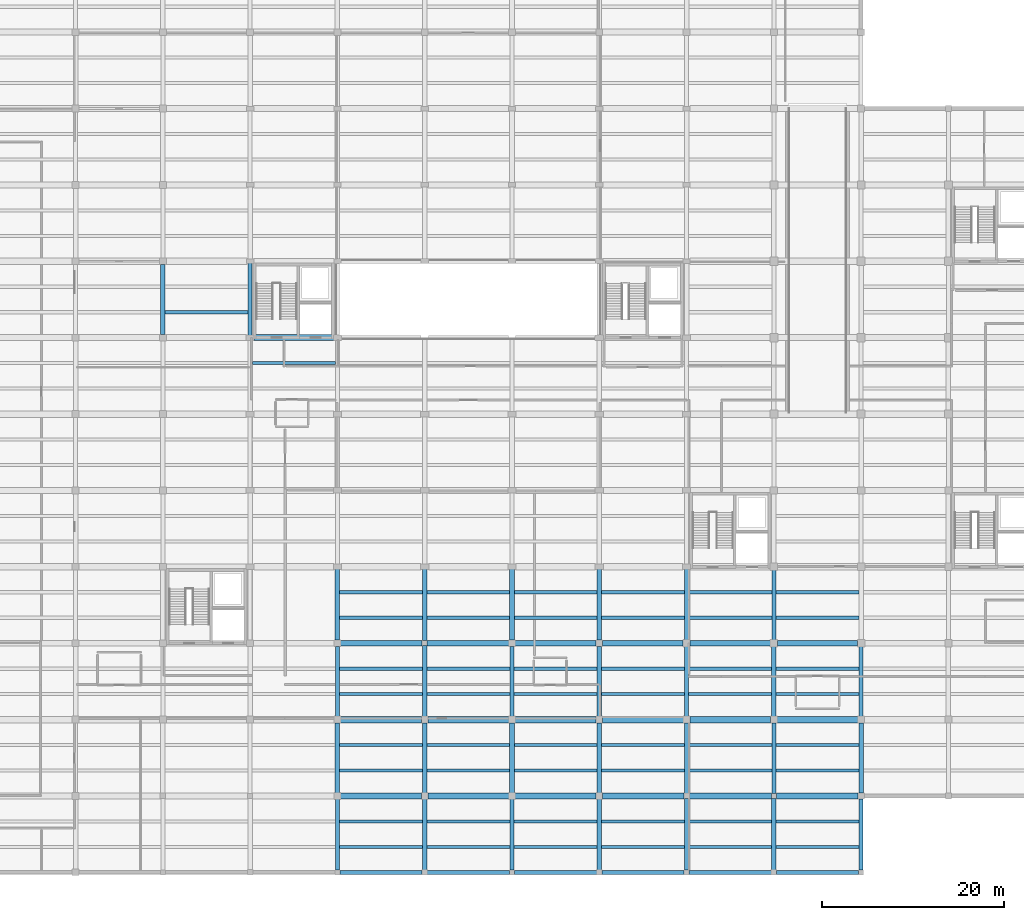
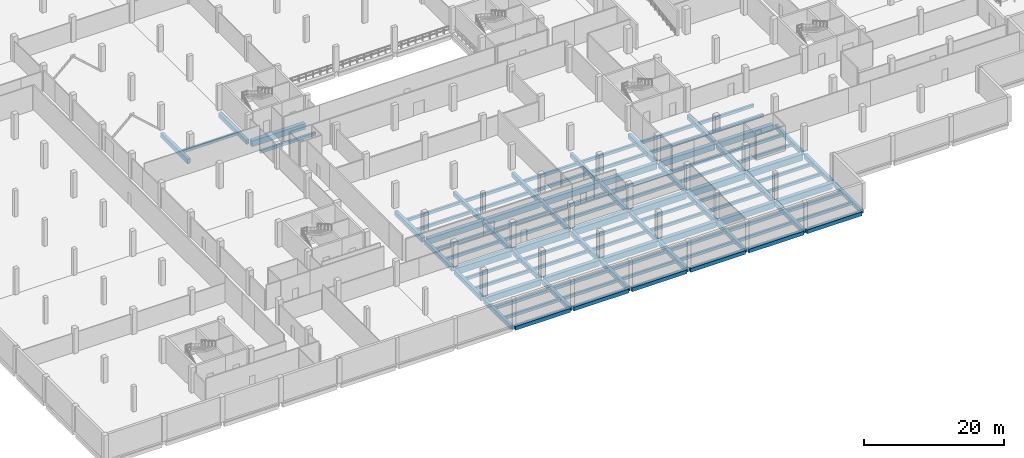
# One storey, part 7 of 30: 104 beams.
"""IFC4 building model written with IfcOpenShell, lengths in metres."""

from ifc_helpers import new_model, si_unit, direction, frame, origin, origin_2d, place, context, subcontext, project, spatial, rectangle, extrude, material, material_profile, profile_set, type_object, element, save


model = new_model("IFC4")

# Units and contexts
model_context = context("Model", 3, precision=1e-05, world=origin(), true_north=direction((0.0, 1.0)))
body_context = subcontext(model_context, "Body", "Model", "MODEL_VIEW")
ifc_project = project(units=[si_unit("LENGTHUNIT", "METRE"), si_unit("AREAUNIT", "SQUARE_METRE"), si_unit("VOLUMEUNIT", "CUBIC_METRE"), si_unit("PLANEANGLEUNIT", "RADIAN"), si_unit("MASSUNIT", "GRAM", prefix="KILO")], contexts=[model_context])

# Site, building, storey
site_placement = place(None, origin())
site = spatial("IfcSite", under=ifc_project, at=site_placement, CompositionType="ELEMENT")
building_placement = place(site_placement, origin())
building = spatial("IfcBuilding", under=site, at=building_placement, Name="Lornevale Opera House", CompositionType="ELEMENT")
storey_placement = place(building_placement, frame((0.0, 0.0, -4.800048828125)))
storey = spatial("IfcBuildingStorey", under=building, at=storey_placement, Name="B1", CompositionType="ELEMENT", Elevation=-4.800048828125)

# Beams
ifc_material_1 = material(Name="Concrete 35 MPa (CSA A23.1 N)", Category="concrete")
ifc_material_profile_1 = material_profile(ifc_material_1, rectangle(XDim=0.449951171875, YDim=0.75, at=origin_2d()), Name="RC450x750")
ifc_profile_set_1 = profile_set([ifc_material_profile_1], Name="Concrete 35 MPa (CSA A23.1 N)")
beam_type_1 = type_object("IfcBeamType", Name="Concrete Floor Beam 450x750", PredefinedType="USERDEFINED", material=ifc_profile_set_1)
beam_1_placement = place(storey_placement, frame((57.60009765625, 59.050048828125, -0.794921875), z_axis=(0.0, 1.0, 0.0), x_axis=(-1.0, 0.0, 0.0)))
element("IfcBeam", 1, at=beam_1_placement, inside=storey, type_object=beam_type_1, Name="Concrete Floor Beam 450x750 0317", ObjectType="GIRDER", PredefinedType="USERDEFINED", context=body_context, shape_type="SweptSolid", body=[
    extrude(rectangle(XDim=0.449951171875, YDim=0.75, at=origin_2d()), origin(), (0.0, 0.0, 1.0), 7.949951171875),
])
beam_2_placement = place(storey_placement, frame((67.199951171875, 0.27490234375, -0.794921875), z_axis=(0.0, 1.0, 0.0), x_axis=(-1.0, 0.0, 0.0)))
element("IfcBeam", 2, at=beam_2_placement, inside=storey, type_object=beam_type_1, Name="Concrete Floor Beam 450x750 0324", ObjectType="GIRDER", PredefinedType="USERDEFINED", context=body_context, shape_type="SweptSolid", body=[
    extrude(rectangle(XDim=0.449951171875, YDim=0.75, at=origin_2d()), origin(), (0.0, 0.0, 1.0), 7.775146484375),
])
beam_3_placement = place(storey_placement, frame((67.199951171875, 17.14990234375, -0.794921875), z_axis=(0.0, 1.0, 0.0), x_axis=(-1.0, 0.0, 0.0)))
element("IfcBeam", 3, at=beam_3_placement, inside=storey, type_object=beam_type_1, Name="Concrete Floor Beam 450x750 0326", ObjectType="GIRDER", PredefinedType="USERDEFINED", context=body_context, shape_type="SweptSolid", body=[
    extrude(rectangle(XDim=0.449951171875, YDim=0.75, at=origin_2d()), origin(), (0.0, 0.0, 1.0), 7.7001953125),
])
beam_4_placement = place(storey_placement, frame((76.800048828125, 8.75, -0.794921875), z_axis=(0.0, 1.0, 0.0), x_axis=(-1.0, 0.0, 0.0)))
element("IfcBeam", 4, at=beam_4_placement, inside=storey, type_object=beam_type_1, Name="Concrete Floor Beam 450x750 0339", ObjectType="GIRDER", PredefinedType="USERDEFINED", context=body_context, shape_type="SweptSolid", body=[
    extrude(rectangle(XDim=0.449951171875, YDim=0.75, at=origin_2d()), origin(), (0.0, 0.0, 1.0), 7.699951171875),
])
beam_5_placement = place(storey_placement, frame((76.800048828125, 25.47509765625, -0.794921875), z_axis=(0.0, 1.0, 0.0), x_axis=(-1.0, 0.0, 0.0)))
element("IfcBeam", 5, at=beam_5_placement, inside=storey, type_object=beam_type_1, Name="Concrete Floor Beam 450x750 0341", ObjectType="GIRDER", PredefinedType="USERDEFINED", context=body_context, shape_type="SweptSolid", body=[
    extrude(rectangle(XDim=0.449951171875, YDim=0.75, at=origin_2d()), origin(), (0.0, 0.0, 1.0), 7.875),
])
beam_6_placement = place(storey_placement, frame((86.39990234375, 0.27490234375, -0.794921875), z_axis=(0.0, 1.0, 0.0), x_axis=(-1.0, 0.0, 0.0)))
element("IfcBeam", 6, at=beam_6_placement, inside=storey, type_object=beam_type_1, Name="Concrete Floor Beam 450x750 0351", ObjectType="GIRDER", PredefinedType="USERDEFINED", context=body_context, shape_type="SweptSolid", body=[
    extrude(rectangle(XDim=0.449951171875, YDim=0.75, at=origin_2d()), origin(), (0.0, 0.0, 1.0), 7.775146484375),
])
beam_7_placement = place(storey_placement, frame((86.39990234375, 17.14990234375, -0.794921875), z_axis=(0.0, 1.0, 0.0), x_axis=(-1.0, 0.0, 0.0)))
element("IfcBeam", 7, at=beam_7_placement, inside=storey, type_object=beam_type_1, Name="Concrete Floor Beam 450x750 0353", ObjectType="GIRDER", PredefinedType="USERDEFINED", context=body_context, shape_type="SweptSolid", body=[
    extrude(rectangle(XDim=0.449951171875, YDim=0.75, at=origin_2d()), origin(), (0.0, 0.0, 1.0), 7.7001953125),
])
beam_8_placement = place(storey_placement, frame((96.0, 8.75, -0.794921875), z_axis=(0.0, 1.0, 0.0), x_axis=(-1.0, 0.0, 0.0)))
element("IfcBeam", 8, at=beam_8_placement, inside=storey, type_object=beam_type_1, Name="Concrete Floor Beam 450x750 0365", ObjectType="GIRDER", PredefinedType="USERDEFINED", context=body_context, shape_type="SweptSolid", body=[
    extrude(rectangle(XDim=0.449951171875, YDim=0.75, at=origin_2d()), origin(), (0.0, 0.0, 1.0), 7.699951171875),
])
beam_9_placement = place(storey_placement, frame((96.0, 25.550048828125, -0.794921875), z_axis=(0.0, 1.0, 0.0), x_axis=(-1.0, 0.0, 0.0)))
element("IfcBeam", 9, at=beam_9_placement, inside=storey, type_object=beam_type_1, Name="Concrete Floor Beam 450x750 0367", ObjectType="GIRDER", PredefinedType="USERDEFINED", context=body_context, shape_type="SweptSolid", body=[
    extrude(rectangle(XDim=0.449951171875, YDim=0.75, at=origin_2d()), origin(), (0.0, 0.0, 1.0), 7.800048828125),
])
beam_10_placement = place(storey_placement, frame((105.60009765625, 0.27490234375, -0.794921875), z_axis=(0.0, 1.0, 0.0), x_axis=(-1.0, 0.0, 0.0)))
element("IfcBeam", 10, at=beam_10_placement, inside=storey, type_object=beam_type_1, Name="Concrete Floor Beam 450x750 0378", ObjectType="GIRDER", PredefinedType="USERDEFINED", context=body_context, shape_type="SweptSolid", body=[
    extrude(rectangle(XDim=0.449951171875, YDim=0.75, at=origin_2d()), origin(), (0.0, 0.0, 1.0), 7.85009765625),
])
beam_11_placement = place(storey_placement, frame((105.60009765625, 17.14990234375, -0.794921875), z_axis=(0.0, 1.0, 0.0), x_axis=(-1.0, 0.0, 0.0)))
element("IfcBeam", 11, at=beam_11_placement, inside=storey, type_object=beam_type_1, Name="Concrete Floor Beam 450x750 0380", ObjectType="GIRDER", PredefinedType="USERDEFINED", context=body_context, shape_type="SweptSolid", body=[
    extrude(rectangle(XDim=0.449951171875, YDim=0.75, at=origin_2d()), origin(), (0.0, 0.0, 1.0), 7.675048828125),
])
beam_12_placement = place(storey_placement, frame((115.199951171875, 8.675048828125, -0.794921875), z_axis=(0.0, 1.0, 0.0), x_axis=(-1.0, 0.0, 0.0)))
element("IfcBeam", 12, at=beam_12_placement, inside=storey, type_object=beam_type_1, Name="Concrete Floor Beam 450x750 0393", ObjectType="GIRDER", PredefinedType="USERDEFINED", context=body_context, shape_type="SweptSolid", body=[
    extrude(rectangle(XDim=0.449951171875, YDim=0.75, at=origin_2d()), origin(), (0.0, 0.0, 1.0), 7.77490234375),
])
beam_13_placement = place(storey_placement, frame((115.199951171875, 25.574951171875, -0.794921875), z_axis=(0.0, 1.0, 0.0), x_axis=(-1.0, 0.0, 0.0)))
element("IfcBeam", 13, at=beam_13_placement, inside=storey, type_object=beam_type_1, Name="Concrete Floor Beam 450x750 0395", ObjectType="GIRDER", PredefinedType="USERDEFINED", context=body_context, shape_type="SweptSolid", body=[
    extrude(rectangle(XDim=0.449951171875, YDim=0.75, at=origin_2d()), origin(), (0.0, 0.0, 1.0), 7.650146484375),
])
beam_14_placement = place(storey_placement, frame((124.800048828125, 17.14990234375, -0.794921875), z_axis=(0.0, 1.0, 0.0), x_axis=(-1.0, 0.0, 0.0)))
element("IfcBeam", 14, at=beam_14_placement, inside=storey, type_object=beam_type_1, Name="Concrete Floor Beam 450x750 0408", ObjectType="GIRDER", PredefinedType="USERDEFINED", context=body_context, shape_type="SweptSolid", body=[
    extrude(rectangle(XDim=0.449951171875, YDim=0.75, at=origin_2d()), origin(), (0.0, 0.0, 1.0), 7.675048828125),
])
ifc_material_profile_2 = material_profile(ifc_material_1, rectangle(XDim=0.5, YDim=0.800048828125, at=origin_2d()), Name="RC500x800")
ifc_profile_set_2 = profile_set([ifc_material_profile_2], Name="Concrete 35 MPa (CSA A23.1 N)")
beam_type_2 = type_object("IfcBeamType", Name="Concrete Floor Beam 500x800", PredefinedType="USERDEFINED", material=ifc_profile_set_2)
beam_15_placement = place(storey_placement, frame((48.0, 59.14990234375, -0.820068359375), z_axis=(0.0, 1.0, 0.0), x_axis=(-1.0, 0.0, 0.0)))
element("IfcBeam", 15, at=beam_15_placement, inside=storey, type_object=beam_type_2, Name="Concrete Floor Beam 500x800 0303", ObjectType="GIRDER", PredefinedType="USERDEFINED", context=body_context, shape_type="SweptSolid", body=[
    extrude(rectangle(XDim=0.5, YDim=0.800048828125, at=origin_2d()), origin(), (0.0, 0.0, 1.0), 7.7001953125),
])
beam_16_placement = place(storey_placement, frame((67.199951171875, 8.75, -0.820068359375), z_axis=(0.0, 1.0, 0.0), x_axis=(-1.0, 0.0, 0.0)))
element("IfcBeam", 16, at=beam_16_placement, inside=storey, type_object=beam_type_2, Name="Concrete Floor Beam 500x800 0325", ObjectType="GIRDER", PredefinedType="USERDEFINED", context=body_context, shape_type="SweptSolid", body=[
    extrude(rectangle(XDim=0.5, YDim=0.800048828125, at=origin_2d()), origin(), (0.0, 0.0, 1.0), 7.699951171875),
])
beam_17_placement = place(storey_placement, frame((67.199951171875, 25.550048828125, -0.820068359375), z_axis=(0.0, 1.0, 0.0), x_axis=(-1.0, 0.0, 0.0)))
element("IfcBeam", 17, at=beam_17_placement, inside=storey, type_object=beam_type_2, Name="Concrete Floor Beam 500x800 0327", ObjectType="GIRDER", PredefinedType="USERDEFINED", context=body_context, shape_type="SweptSolid", body=[
    extrude(rectangle(XDim=0.5, YDim=0.800048828125, at=origin_2d()), origin(), (0.0, 0.0, 1.0), 7.800048828125),
])
for number, where, z_axis, x_axis, name in (
    (18, (76.800048828125, 0.27490234375, -0.820068359375), (0.0, 1.0, 0.0), (-1.0, 0.0, 0.0), "Concrete Floor Beam 500x800 0338"),
    (19, (76.800048828125, 17.14990234375, -0.820068359375), (0.0, 1.0, 0.0), (-1.0, 0.0, 0.0), "Concrete Floor Beam 500x800 0340"),
):
    element("IfcBeam", number, at=place(storey_placement, frame(where, z_axis=z_axis, x_axis=x_axis)), inside=storey, type_object=beam_type_2, Name=name, ObjectType="GIRDER", PredefinedType="USERDEFINED", context=body_context, shape_type="SweptSolid", body=[
        extrude(rectangle(XDim=0.5, YDim=0.800048828125, at=origin_2d()), origin(), (0.0, 0.0, 1.0), 7.775146484375),
    ])
beam_18_placement = place(storey_placement, frame((86.39990234375, 8.75, -0.820068359375), z_axis=(0.0, 1.0, 0.0), x_axis=(-1.0, 0.0, 0.0)))
element("IfcBeam", 20, at=beam_18_placement, inside=storey, type_object=beam_type_2, Name="Concrete Floor Beam 500x800 0352", ObjectType="GIRDER", PredefinedType="USERDEFINED", context=body_context, shape_type="SweptSolid", body=[
    extrude(rectangle(XDim=0.5, YDim=0.800048828125, at=origin_2d()), origin(), (0.0, 0.0, 1.0), 7.699951171875),
])
beam_19_placement = place(storey_placement, frame((86.39990234375, 25.550048828125, -0.820068359375), z_axis=(0.0, 1.0, 0.0), x_axis=(-1.0, 0.0, 0.0)))
element("IfcBeam", 21, at=beam_19_placement, inside=storey, type_object=beam_type_2, Name="Concrete Floor Beam 500x800 0354", ObjectType="GIRDER", PredefinedType="USERDEFINED", context=body_context, shape_type="SweptSolid", body=[
    extrude(rectangle(XDim=0.5, YDim=0.800048828125, at=origin_2d()), origin(), (0.0, 0.0, 1.0), 7.800048828125),
])
beam_20_placement = place(storey_placement, frame((96.0, 0.27490234375, -0.820068359375), z_axis=(0.0, 1.0, 0.0), x_axis=(-1.0, 0.0, 0.0)))
element("IfcBeam", 22, at=beam_20_placement, inside=storey, type_object=beam_type_2, Name="Concrete Floor Beam 500x800 0364", ObjectType="GIRDER", PredefinedType="USERDEFINED", context=body_context, shape_type="SweptSolid", body=[
    extrude(rectangle(XDim=0.5, YDim=0.800048828125, at=origin_2d()), origin(), (0.0, 0.0, 1.0), 7.775146484375),
])
beam_21_placement = place(storey_placement, frame((96.0, 17.14990234375, -0.820068359375), z_axis=(0.0, 1.0, 0.0), x_axis=(-1.0, 0.0, 0.0)))
element("IfcBeam", 23, at=beam_21_placement, inside=storey, type_object=beam_type_2, Name="Concrete Floor Beam 500x800 0366", ObjectType="GIRDER", PredefinedType="USERDEFINED", context=body_context, shape_type="SweptSolid", body=[
    extrude(rectangle(XDim=0.5, YDim=0.800048828125, at=origin_2d()), origin(), (0.0, 0.0, 1.0), 7.7001953125),
])
beam_22_placement = place(storey_placement, frame((105.60009765625, 8.675048828125, -0.820068359375), z_axis=(0.0, 1.0, 0.0), x_axis=(-1.0, 0.0, 0.0)))
element("IfcBeam", 24, at=beam_22_placement, inside=storey, type_object=beam_type_2, Name="Concrete Floor Beam 500x800 0379", ObjectType="GIRDER", PredefinedType="USERDEFINED", context=body_context, shape_type="SweptSolid", body=[
    extrude(rectangle(XDim=0.5, YDim=0.800048828125, at=origin_2d()), origin(), (0.0, 0.0, 1.0), 7.77490234375),
])
beam_23_placement = place(storey_placement, frame((105.60009765625, 25.574951171875, -0.820068359375), z_axis=(0.0, 1.0, 0.0), x_axis=(-1.0, 0.0, 0.0)))
element("IfcBeam", 25, at=beam_23_placement, inside=storey, type_object=beam_type_2, Name="Concrete Floor Beam 500x800 0381", ObjectType="GIRDER", PredefinedType="USERDEFINED", context=body_context, shape_type="SweptSolid", body=[
    extrude(rectangle(XDim=0.5, YDim=0.800048828125, at=origin_2d()), origin(), (0.0, 0.0, 1.0), 7.775146484375),
])
beam_24_placement = place(storey_placement, frame((115.199951171875, 0.27490234375, -0.820068359375), z_axis=(0.0, 1.0, 0.0), x_axis=(-1.0, 0.0, 0.0)))
element("IfcBeam", 26, at=beam_24_placement, inside=storey, type_object=beam_type_2, Name="Concrete Floor Beam 500x800 0392", ObjectType="GIRDER", PredefinedType="USERDEFINED", context=body_context, shape_type="SweptSolid", body=[
    extrude(rectangle(XDim=0.5, YDim=0.800048828125, at=origin_2d()), origin(), (0.0, 0.0, 1.0), 7.85009765625),
])
beam_25_placement = place(storey_placement, frame((115.199951171875, 17.14990234375, -0.820068359375), z_axis=(0.0, 1.0, 0.0), x_axis=(-1.0, 0.0, 0.0)))
element("IfcBeam", 27, at=beam_25_placement, inside=storey, type_object=beam_type_2, Name="Concrete Floor Beam 500x800 0394", ObjectType="GIRDER", PredefinedType="USERDEFINED", context=body_context, shape_type="SweptSolid", body=[
    extrude(rectangle(XDim=0.5, YDim=0.800048828125, at=origin_2d()), origin(), (0.0, 0.0, 1.0), 7.675048828125),
])
beam_26_placement = place(storey_placement, frame((124.800048828125, 8.72509765625, -0.820068359375), z_axis=(0.0, 1.0, 0.0), x_axis=(-1.0, 0.0, 0.0)))
element("IfcBeam", 28, at=beam_26_placement, inside=storey, type_object=beam_type_2, Name="Concrete Floor Beam 500x800 0407", ObjectType="GIRDER", PredefinedType="USERDEFINED", context=body_context, shape_type="SweptSolid", body=[
    extrude(rectangle(XDim=0.5, YDim=0.800048828125, at=origin_2d()), origin(), (0.0, 0.0, 1.0), 7.724853515625),
])
ifc_material_2 = material(Name="Concrete 40 MPa (CSA A23.1 C-1)", Category="concrete")
ifc_material_profile_3 = material_profile(ifc_material_2, rectangle(XDim=0.64990234375, YDim=1.0, at=origin_2d()), Name="RC650x1000")
ifc_profile_set_3 = profile_set([ifc_material_profile_3], Name="Concrete 40 MPa (CSA A23.1 C-1)")
beam_type_3 = type_object("IfcBeamType", Name="Concrete Primary Girder 650x1000", PredefinedType="USERDEFINED", material=ifc_profile_set_3)
beam_27_placement = place(storey_placement, frame((67.550048828125, 8.39990234375, -0.919921875), z_axis=(1.0, 0.0, 0.0), x_axis=(0.0, 1.0, 0.0)))
element("IfcBeam", 29, at=beam_27_placement, inside=storey, type_object=beam_type_3, Name="Concrete Primary Girder 650x1000 0021", ObjectType="GIRDER", PredefinedType="USERDEFINED", context=body_context, shape_type="SweptSolid", body=[
    extrude(rectangle(XDim=0.64990234375, YDim=1.0, at=origin_2d()), origin(), (0.0, 0.0, 1.0), 8.89990234375),
])
beam_28_placement = place(storey_placement, frame((77.14990234375, 8.39990234375, -0.919921875), z_axis=(1.0, 0.0, 0.0), x_axis=(0.0, 1.0, 0.0)))
element("IfcBeam", 30, at=beam_28_placement, inside=storey, type_object=beam_type_3, Name="Concrete Primary Girder 650x1000 0022", ObjectType="GIRDER", PredefinedType="USERDEFINED", context=body_context, shape_type="SweptSolid", body=[
    extrude(rectangle(XDim=0.64990234375, YDim=1.0, at=origin_2d()), origin(), (0.0, 0.0, 1.0), 8.900146484375),
])
beam_29_placement = place(storey_placement, frame((86.75, 8.39990234375, -0.919921875), z_axis=(1.0, 0.0, 0.0), x_axis=(0.0, 1.0, 0.0)))
element("IfcBeam", 31, at=beam_29_placement, inside=storey, type_object=beam_type_3, Name="Concrete Primary Girder 650x1000 0023", ObjectType="GIRDER", PredefinedType="USERDEFINED", context=body_context, shape_type="SweptSolid", body=[
    extrude(rectangle(XDim=0.64990234375, YDim=1.0, at=origin_2d()), origin(), (0.0, 0.0, 1.0), 8.89990234375),
])
beam_30_placement = place(storey_placement, frame((96.35009765625, 8.39990234375, -0.919921875), z_axis=(1.0, 0.0, 0.0), x_axis=(0.0, 1.0, 0.0)))
element("IfcBeam", 32, at=beam_30_placement, inside=storey, type_object=beam_type_3, Name="Concrete Primary Girder 650x1000 0024", ObjectType="GIRDER", PredefinedType="USERDEFINED", context=body_context, shape_type="SweptSolid", body=[
    extrude(rectangle(XDim=0.64990234375, YDim=1.0, at=origin_2d()), origin(), (0.0, 0.0, 1.0), 8.974853515625),
])
beam_31_placement = place(storey_placement, frame((105.875, 8.39990234375, -0.919921875), z_axis=(1.0, 0.0, 0.0), x_axis=(0.0, 1.0, 0.0)))
element("IfcBeam", 33, at=beam_31_placement, inside=storey, type_object=beam_type_3, Name="Concrete Primary Girder 650x1000 0025", ObjectType="GIRDER", PredefinedType="USERDEFINED", context=body_context, shape_type="SweptSolid", body=[
    extrude(rectangle(XDim=0.64990234375, YDim=1.0, at=origin_2d()), origin(), (0.0, 0.0, 1.0), 9.050048828125),
])
beam_32_placement = place(storey_placement, frame((115.47509765625, 8.39990234375, -0.919921875), z_axis=(1.0, 0.0, 0.0), x_axis=(0.0, 1.0, 0.0)))
element("IfcBeam", 34, at=beam_32_placement, inside=storey, type_object=beam_type_3, Name="Concrete Primary Girder 650x1000 0026", ObjectType="GIRDER", PredefinedType="USERDEFINED", context=body_context, shape_type="SweptSolid", body=[
    extrude(rectangle(XDim=0.64990234375, YDim=1.0, at=origin_2d()), origin(), (0.0, 0.0, 1.0), 9.0),
])
beam_33_placement = place(storey_placement, frame((67.550048828125, 25.199951171875, -0.919921875), z_axis=(1.0, 0.0, 0.0), x_axis=(0.0, 1.0, 0.0)))
element("IfcBeam", 35, at=beam_33_placement, inside=storey, type_object=beam_type_3, Name="Concrete Primary Girder 650x1000 0054", ObjectType="GIRDER", PredefinedType="USERDEFINED", context=body_context, shape_type="SweptSolid", body=[
    extrude(rectangle(XDim=0.64990234375, YDim=1.0, at=origin_2d()), origin(), (0.0, 0.0, 1.0), 8.974853515625),
])
beam_34_placement = place(storey_placement, frame((77.074951171875, 25.199951171875, -0.919921875), z_axis=(1.0, 0.0, 0.0), x_axis=(0.0, 1.0, 0.0)))
element("IfcBeam", 36, at=beam_34_placement, inside=storey, type_object=beam_type_3, Name="Concrete Primary Girder 650x1000 0055", ObjectType="GIRDER", PredefinedType="USERDEFINED", context=body_context, shape_type="SweptSolid", body=[
    extrude(rectangle(XDim=0.64990234375, YDim=1.0, at=origin_2d()), origin(), (0.0, 0.0, 1.0), 8.97509765625),
])
beam_35_placement = place(storey_placement, frame((86.75, 25.199951171875, -0.919921875), z_axis=(1.0, 0.0, 0.0), x_axis=(0.0, 1.0, 0.0)))
element("IfcBeam", 37, at=beam_35_placement, inside=storey, type_object=beam_type_3, Name="Concrete Primary Girder 650x1000 0056", ObjectType="GIRDER", PredefinedType="USERDEFINED", context=body_context, shape_type="SweptSolid", body=[
    extrude(rectangle(XDim=0.64990234375, YDim=1.0, at=origin_2d()), origin(), (0.0, 0.0, 1.0), 8.89990234375),
])
beam_36_placement = place(storey_placement, frame((96.35009765625, 25.199951171875, -0.919921875), z_axis=(1.0, 0.0, 0.0), x_axis=(0.0, 1.0, 0.0)))
element("IfcBeam", 38, at=beam_36_placement, inside=storey, type_object=beam_type_3, Name="Concrete Primary Girder 650x1000 0057", ObjectType="GIRDER", PredefinedType="USERDEFINED", context=body_context, shape_type="SweptSolid", body=[
    extrude(rectangle(XDim=0.64990234375, YDim=1.0, at=origin_2d()), origin(), (0.0, 0.0, 1.0), 8.875),
])
beam_37_placement = place(storey_placement, frame((105.97509765625, 25.199951171875, -0.919921875), z_axis=(1.0, 0.0, 0.0), x_axis=(0.0, 1.0, 0.0)))
element("IfcBeam", 39, at=beam_37_placement, inside=storey, type_object=beam_type_3, Name="Concrete Primary Girder 650x1000 0058", ObjectType="GIRDER", PredefinedType="USERDEFINED", context=body_context, shape_type="SweptSolid", body=[
    extrude(rectangle(XDim=0.64990234375, YDim=1.0, at=origin_2d()), origin(), (0.0, 0.0, 1.0), 8.849853515625),
])
beam_38_placement = place(storey_placement, frame((115.574951171875, 25.199951171875, -0.919921875), z_axis=(1.0, 0.0, 0.0), x_axis=(0.0, 1.0, 0.0)))
element("IfcBeam", 40, at=beam_38_placement, inside=storey, type_object=beam_type_3, Name="Concrete Primary Girder 650x1000 0059", ObjectType="GIRDER", PredefinedType="USERDEFINED", context=body_context, shape_type="SweptSolid", body=[
    extrude(rectangle(XDim=0.64990234375, YDim=1.0, at=origin_2d()), origin(), (0.0, 0.0, 1.0), 8.85009765625),
])
beam_39_placement = place(storey_placement, frame((58.0, 58.800048828125, -0.919921875), z_axis=(1.0, 0.0, 0.0), x_axis=(0.0, 1.0, 0.0)))
element("IfcBeam", 41, at=beam_39_placement, inside=storey, type_object=beam_type_3, Name="Concrete Primary Girder 650x1000 0125", ObjectType="GIRDER", PredefinedType="USERDEFINED", context=body_context, shape_type="SweptSolid", body=[
    extrude(rectangle(XDim=0.64990234375, YDim=1.0, at=origin_2d()), origin(), (0.0, 0.0, 1.0), 8.800048828125),
])
ifc_material_profile_4 = material_profile(ifc_material_2, rectangle(XDim=0.699951171875, YDim=1.10009765625, at=origin_2d()), Name="RC700x1100")
ifc_profile_set_4 = profile_set([ifc_material_profile_4], Name="Concrete 40 MPa (CSA A23.1 C-1)")
beam_type_4 = type_object("IfcBeamType", Name="Concrete Primary Girder 700x1100", PredefinedType="USERDEFINED", material=ifc_profile_set_4)
beam_40_placement = place(storey_placement, frame((67.550048828125, 16.800048828125, -0.969970703125), z_axis=(1.0, 0.0, 0.0), x_axis=(0.0, 1.0, 0.0)))
element("IfcBeam", 42, at=beam_40_placement, inside=storey, type_object=beam_type_4, Name="Concrete Primary Girder 700x1100 0037", ObjectType="GIRDER", PredefinedType="USERDEFINED", context=body_context, shape_type="SweptSolid", body=[
    extrude(rectangle(XDim=0.699951171875, YDim=1.10009765625, at=origin_2d()), origin(), (0.0, 0.0, 1.0), 8.89990234375),
])
beam_41_placement = place(storey_placement, frame((77.14990234375, 16.800048828125, -0.969970703125), z_axis=(1.0, 0.0, 0.0), x_axis=(0.0, 1.0, 0.0)))
element("IfcBeam", 43, at=beam_41_placement, inside=storey, type_object=beam_type_4, Name="Concrete Primary Girder 700x1100 0038", ObjectType="GIRDER", PredefinedType="USERDEFINED", context=body_context, shape_type="SweptSolid", body=[
    extrude(rectangle(XDim=0.699951171875, YDim=1.10009765625, at=origin_2d()), origin(), (0.0, 0.0, 1.0), 8.900146484375),
])
for number, where, z_axis, x_axis, name in (
    (44, (86.75, 16.800048828125, -0.969970703125), (1.0, 0.0, 0.0), (0.0, 1.0, 0.0), "Concrete Primary Girder 700x1100 0039"),
    (45, (96.35009765625, 16.800048828125, -0.969970703125), (1.0, 0.0, 0.0), (0.0, 1.0, 0.0), "Concrete Primary Girder 700x1100 0040"),
):
    element("IfcBeam", number, at=place(storey_placement, frame(where, z_axis=z_axis, x_axis=x_axis)), inside=storey, type_object=beam_type_4, Name=name, ObjectType="GIRDER", PredefinedType="USERDEFINED", context=body_context, shape_type="SweptSolid", body=[
        extrude(rectangle(XDim=0.699951171875, YDim=1.10009765625, at=origin_2d()), origin(), (0.0, 0.0, 1.0), 8.89990234375),
    ])
beam_42_placement = place(storey_placement, frame((105.949951171875, 16.800048828125, -0.969970703125), z_axis=(1.0, 0.0, 0.0), x_axis=(0.0, 1.0, 0.0)))
element("IfcBeam", 46, at=beam_42_placement, inside=storey, type_object=beam_type_4, Name="Concrete Primary Girder 700x1100 0041", ObjectType="GIRDER", PredefinedType="USERDEFINED", context=body_context, shape_type="SweptSolid", body=[
    extrude(rectangle(XDim=0.699951171875, YDim=1.10009765625, at=origin_2d()), origin(), (0.0, 0.0, 1.0), 8.900146484375),
])
beam_43_placement = place(storey_placement, frame((115.550048828125, 16.800048828125, -0.969970703125), z_axis=(1.0, 0.0, 0.0), x_axis=(0.0, 1.0, 0.0)))
element("IfcBeam", 47, at=beam_43_placement, inside=storey, type_object=beam_type_4, Name="Concrete Primary Girder 700x1100 0042", ObjectType="GIRDER", PredefinedType="USERDEFINED", context=body_context, shape_type="SweptSolid", body=[
    extrude(rectangle(XDim=0.699951171875, YDim=1.10009765625, at=origin_2d()), origin(), (0.0, 0.0, 1.0), 8.89990234375),
])
ifc_material_profile_5 = material_profile(ifc_material_1, rectangle(XDim=0.35009765625, YDim=0.5, at=origin_2d()), Name="RC350x500")
ifc_profile_set_5 = profile_set([ifc_material_profile_5], Name="Concrete 35 MPa (CSA A23.1 N)")
beam_type_5 = type_object("IfcBeamType", Name="Concrete Secondary Rib 350x500", PredefinedType="JOIST", material=ifc_profile_set_5)
for number, where, z_axis, x_axis, name in (
    (48, (48.25, 61.60009765625, -0.669921875), (1.0, 0.0, 0.0), (0.0, 1.0, 0.0), "Concrete Secondary Rib 350x500 0593"),
    (49, (57.85009765625, 56.0, -0.669921875), (1.0, 0.0, 0.0), (0.0, 1.0, 0.0), "Concrete Secondary Rib 350x500 0618"),
    (50, (67.425048828125, 2.800048828125, -0.669921875), (1.0, 0.0, 0.0), (0.0, 1.0, 0.0), "Concrete Secondary Rib 350x500 0631"),
    (51, (67.425048828125, 5.60009765625, -0.669921875), (1.0, 0.0, 0.0), (0.0, 1.0, 0.0), "Concrete Secondary Rib 350x500 0632"),
    (52, (67.449951171875, 11.199951171875, -0.669921875), (1.0, 0.0, 0.0), (0.0, 1.0, 0.0), "Concrete Secondary Rib 350x500 0633"),
    (53, (67.449951171875, 14.0, -0.669921875), (1.0, 0.0, 0.0), (0.0, 1.0, 0.0), "Concrete Secondary Rib 350x500 0634"),
    (54, (67.425048828125, 19.60009765625, -0.669921875), (1.0, 0.0, 0.0), (0.0, 1.0, 0.0), "Concrete Secondary Rib 350x500 0635"),
    (55, (67.425048828125, 22.39990234375, -0.669921875), (1.0, 0.0, 0.0), (0.0, 1.0, 0.0), "Concrete Secondary Rib 350x500 0636"),
    (56, (67.449951171875, 28.0, -0.669921875), (1.0, 0.0, 0.0), (0.0, 1.0, 0.0), "Concrete Secondary Rib 350x500 0637"),
    (57, (67.449951171875, 30.800048828125, -0.669921875), (1.0, 0.0, 0.0), (0.0, 1.0, 0.0), "Concrete Secondary Rib 350x500 0638"),
    (58, (77.050048828125, 2.800048828125, -0.669921875), (1.0, 0.0, 0.0), (0.0, 1.0, 0.0), "Concrete Secondary Rib 350x500 0657"),
    (59, (77.050048828125, 5.60009765625, -0.669921875), (1.0, 0.0, 0.0), (0.0, 1.0, 0.0), "Concrete Secondary Rib 350x500 0658"),
    (60, (77.02490234375, 11.199951171875, -0.669921875), (1.0, 0.0, 0.0), (0.0, 1.0, 0.0), "Concrete Secondary Rib 350x500 0659"),
    (61, (77.02490234375, 14.0, -0.669921875), (1.0, 0.0, 0.0), (0.0, 1.0, 0.0), "Concrete Secondary Rib 350x500 0660"),
    (62, (77.050048828125, 19.60009765625, -0.669921875), (1.0, 0.0, 0.0), (0.0, 1.0, 0.0), "Concrete Secondary Rib 350x500 0661"),
    (63, (77.050048828125, 22.39990234375, -0.669921875), (1.0, 0.0, 0.0), (0.0, 1.0, 0.0), "Concrete Secondary Rib 350x500 0662"),
    (64, (77.02490234375, 28.0, -0.669921875), (1.0, 0.0, 0.0), (0.0, 1.0, 0.0), "Concrete Secondary Rib 350x500 0663"),
    (65, (77.02490234375, 30.800048828125, -0.669921875), (1.0, 0.0, 0.0), (0.0, 1.0, 0.0), "Concrete Secondary Rib 350x500 0664"),
    (66, (86.625, 2.800048828125, -0.669921875), (1.0, 0.0, 0.0), (0.0, 1.0, 0.0), "Concrete Secondary Rib 350x500 0683"),
    (67, (86.625, 5.60009765625, -0.669921875), (1.0, 0.0, 0.0), (0.0, 1.0, 0.0), "Concrete Secondary Rib 350x500 0684"),
    (68, (86.64990234375, 11.199951171875, -0.669921875), (1.0, 0.0, 0.0), (0.0, 1.0, 0.0), "Concrete Secondary Rib 350x500 0685"),
    (69, (86.64990234375, 14.0, -0.669921875), (1.0, 0.0, 0.0), (0.0, 1.0, 0.0), "Concrete Secondary Rib 350x500 0686"),
    (70, (86.625, 19.60009765625, -0.669921875), (1.0, 0.0, 0.0), (0.0, 1.0, 0.0), "Concrete Secondary Rib 350x500 0687"),
    (71, (86.625, 22.39990234375, -0.669921875), (1.0, 0.0, 0.0), (0.0, 1.0, 0.0), "Concrete Secondary Rib 350x500 0688"),
    (72, (86.64990234375, 28.0, -0.669921875), (1.0, 0.0, 0.0), (0.0, 1.0, 0.0), "Concrete Secondary Rib 350x500 0689"),
    (73, (86.64990234375, 30.800048828125, -0.669921875), (1.0, 0.0, 0.0), (0.0, 1.0, 0.0), "Concrete Secondary Rib 350x500 0690"),
    (74, (96.25, 2.800048828125, -0.669921875), (1.0, 0.0, 0.0), (0.0, 1.0, 0.0), "Concrete Secondary Rib 350x500 0709"),
    (75, (96.25, 5.60009765625, -0.669921875), (1.0, 0.0, 0.0), (0.0, 1.0, 0.0), "Concrete Secondary Rib 350x500 0710"),
    (76, (96.22509765625, 11.199951171875, -0.669921875), (1.0, 0.0, 0.0), (0.0, 1.0, 0.0), "Concrete Secondary Rib 350x500 0711"),
    (77, (96.22509765625, 14.0, -0.669921875), (1.0, 0.0, 0.0), (0.0, 1.0, 0.0), "Concrete Secondary Rib 350x500 0712"),
    (78, (96.25, 19.60009765625, -0.669921875), (1.0, 0.0, 0.0), (0.0, 1.0, 0.0), "Concrete Secondary Rib 350x500 0713"),
    (79, (96.25, 22.39990234375, -0.669921875), (1.0, 0.0, 0.0), (0.0, 1.0, 0.0), "Concrete Secondary Rib 350x500 0714"),
    (80, (96.22509765625, 28.0, -0.669921875), (1.0, 0.0, 0.0), (0.0, 1.0, 0.0), "Concrete Secondary Rib 350x500 0715"),
    (81, (96.22509765625, 30.800048828125, -0.669921875), (1.0, 0.0, 0.0), (0.0, 1.0, 0.0), "Concrete Secondary Rib 350x500 0716"),
    (82, (105.824951171875, 2.800048828125, -0.669921875), (1.0, 0.0, 0.0), (0.0, 1.0, 0.0), "Concrete Secondary Rib 350x500 0735"),
    (83, (105.824951171875, 5.60009765625, -0.669921875), (1.0, 0.0, 0.0), (0.0, 1.0, 0.0), "Concrete Secondary Rib 350x500 0736"),
    (84, (105.85009765625, 11.199951171875, -0.669921875), (1.0, 0.0, 0.0), (0.0, 1.0, 0.0), "Concrete Secondary Rib 350x500 0737"),
    (85, (105.85009765625, 14.0, -0.669921875), (1.0, 0.0, 0.0), (0.0, 1.0, 0.0), "Concrete Secondary Rib 350x500 0738"),
    (86, (105.824951171875, 19.60009765625, -0.669921875), (1.0, 0.0, 0.0), (0.0, 1.0, 0.0), "Concrete Secondary Rib 350x500 0739"),
    (87, (105.824951171875, 22.39990234375, -0.669921875), (1.0, 0.0, 0.0), (0.0, 1.0, 0.0), "Concrete Secondary Rib 350x500 0740"),
    (88, (105.85009765625, 28.0, -0.669921875), (1.0, 0.0, 0.0), (0.0, 1.0, 0.0), "Concrete Secondary Rib 350x500 0741"),
    (89, (105.85009765625, 30.800048828125, -0.669921875), (1.0, 0.0, 0.0), (0.0, 1.0, 0.0), "Concrete Secondary Rib 350x500 0742"),
    (90, (115.449951171875, 2.800048828125, -0.669921875), (1.0, 0.0, 0.0), (0.0, 1.0, 0.0), "Concrete Secondary Rib 350x500 0761"),
    (91, (115.449951171875, 5.60009765625, -0.669921875), (1.0, 0.0, 0.0), (0.0, 1.0, 0.0), "Concrete Secondary Rib 350x500 0762"),
    (92, (115.425048828125, 11.199951171875, -0.669921875), (1.0, 0.0, 0.0), (0.0, 1.0, 0.0), "Concrete Secondary Rib 350x500 0763"),
    (93, (115.425048828125, 14.0, -0.669921875), (1.0, 0.0, 0.0), (0.0, 1.0, 0.0), "Concrete Secondary Rib 350x500 0764"),
    (94, (115.449951171875, 19.60009765625, -0.669921875), (1.0, 0.0, 0.0), (0.0, 1.0, 0.0), "Concrete Secondary Rib 350x500 0765"),
    (95, (115.449951171875, 22.39990234375, -0.669921875), (1.0, 0.0, 0.0), (0.0, 1.0, 0.0), "Concrete Secondary Rib 350x500 0766"),
    (96, (115.425048828125, 28.0, -0.669921875), (1.0, 0.0, 0.0), (0.0, 1.0, 0.0), "Concrete Secondary Rib 350x500 0767"),
    (97, (115.425048828125, 30.800048828125, -0.669921875), (1.0, 0.0, 0.0), (0.0, 1.0, 0.0), "Concrete Secondary Rib 350x500 0768"),
):
    element("IfcBeam", number, at=place(storey_placement, frame(where, z_axis=z_axis, x_axis=x_axis)), inside=storey, type_object=beam_type_5, Name=name, PredefinedType="JOIST", context=body_context, shape_type="SweptSolid", body=[
        extrude(rectangle(XDim=0.35009765625, YDim=0.5, at=origin_2d()), origin(), (0.0, 0.0, 1.0), 9.125),
    ])
ifc_material_profile_6 = material_profile(ifc_material_1, rectangle(XDim=0.449951171875, YDim=0.64990234375, at=origin_2d()), Name="RC450x650")
ifc_profile_set_6 = profile_set([ifc_material_profile_6], Name="Concrete 35 MPa (CSA A23.1 N)")
beam_type_6 = type_object("IfcBeamType", Name="Concrete Spandrel Beam 450x650", PredefinedType="SPANDREL", material=ifc_profile_set_6)
beam_44_placement = place(storey_placement, frame((67.47509765625, 0.0, -0.744873046875), z_axis=(1.0, 0.0, 0.0), x_axis=(0.0, 1.0, 0.0)))
element("IfcBeam", 98, at=beam_44_placement, inside=storey, type_object=beam_type_6, Name="Concrete Spandrel Beam 450x650 0008", PredefinedType="SPANDREL", context=body_context, shape_type="SweptSolid", body=[
    extrude(rectangle(XDim=0.449951171875, YDim=0.64990234375, at=origin_2d()), origin(), (0.0, 0.0, 1.0), 9.0498046875),
])
for number, where, z_axis, x_axis, name in (
    (99, (77.074951171875, 0.0, -0.744873046875), (1.0, 0.0, 0.0), (0.0, 1.0, 0.0), "Concrete Spandrel Beam 450x650 0009"),
    (100, (86.675048828125, 0.0, -0.744873046875), (1.0, 0.0, 0.0), (0.0, 1.0, 0.0), "Concrete Spandrel Beam 450x650 0010"),
    (101, (96.27490234375, 0.0, -0.744873046875), (1.0, 0.0, 0.0), (0.0, 1.0, 0.0), "Concrete Spandrel Beam 450x650 0011"),
    (102, (105.875, 0.0, -0.744873046875), (1.0, 0.0, 0.0), (0.0, 1.0, 0.0), "Concrete Spandrel Beam 450x650 0012"),
):
    element("IfcBeam", number, at=place(storey_placement, frame(where, z_axis=z_axis, x_axis=x_axis)), inside=storey, type_object=beam_type_6, Name=name, PredefinedType="SPANDREL", context=body_context, shape_type="SweptSolid", body=[
        extrude(rectangle(XDim=0.449951171875, YDim=0.64990234375, at=origin_2d()), origin(), (0.0, 0.0, 1.0), 9.050048828125),
    ])
beam_45_placement = place(storey_placement, frame((115.47509765625, 0.0, -0.744873046875), z_axis=(1.0, 0.0, 0.0), x_axis=(0.0, 1.0, 0.0)))
element("IfcBeam", 103, at=beam_45_placement, inside=storey, type_object=beam_type_6, Name="Concrete Spandrel Beam 450x650 0013", PredefinedType="SPANDREL", context=body_context, shape_type="SweptSolid", body=[
    extrude(rectangle(XDim=0.449951171875, YDim=0.64990234375, at=origin_2d()), origin(), (0.0, 0.0, 1.0), 9.0498046875),
])
beam_46_placement = place(storey_placement, frame((124.800048828125, 0.27490234375, -0.744873046875), z_axis=(0.0, 1.0, 0.0), x_axis=(-1.0, 0.0, 0.0)))
element("IfcBeam", 104, at=beam_46_placement, inside=storey, type_object=beam_type_6, Name="Concrete Spandrel Beam 450x650 0406", PredefinedType="SPANDREL", context=body_context, shape_type="SweptSolid", body=[
    extrude(rectangle(XDim=0.449951171875, YDim=0.64990234375, at=origin_2d()), origin(), (0.0, 0.0, 1.0), 7.800048828125),
])

save(model, "model.ifc")
